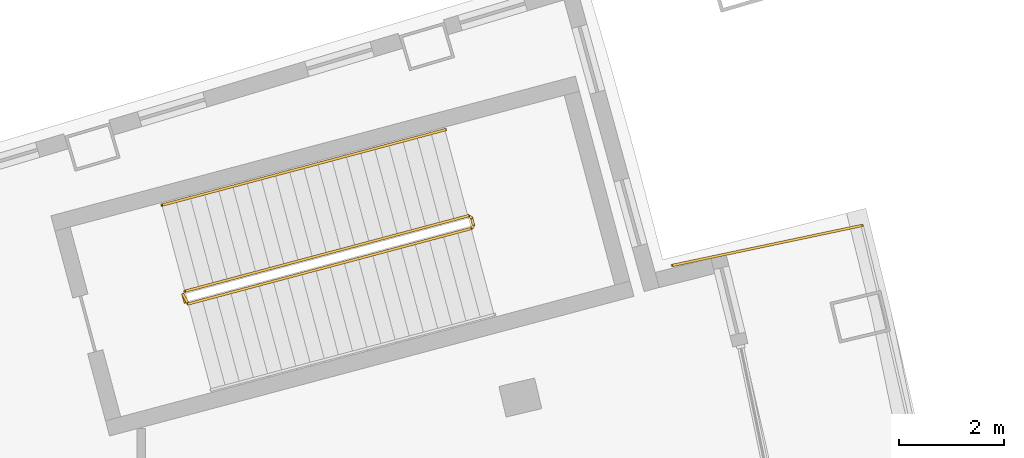
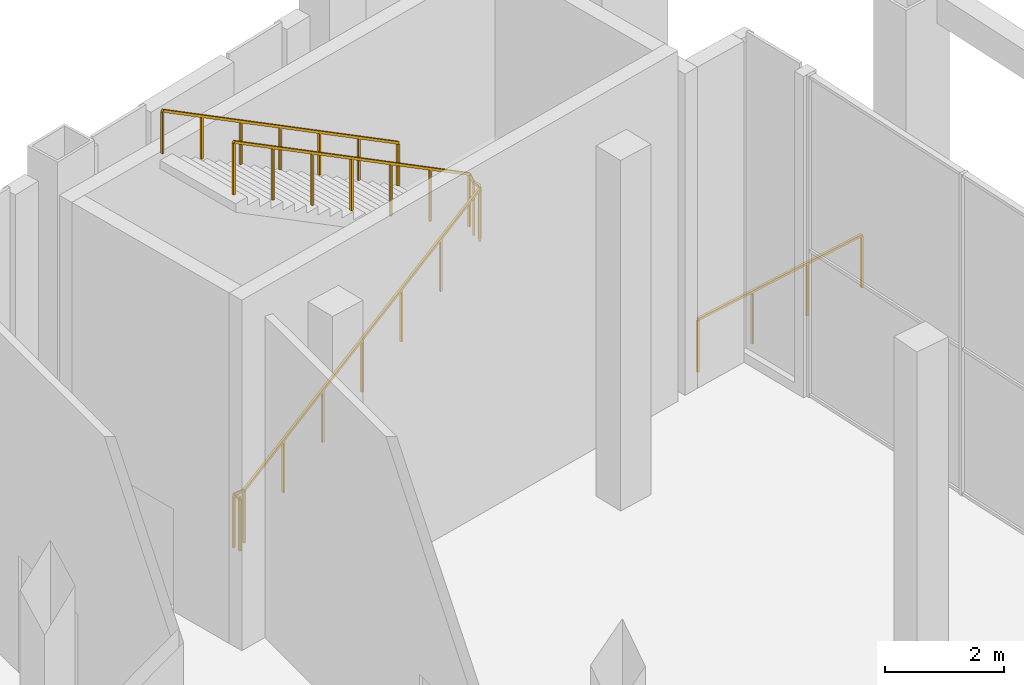
# One storey, part 24 of 25: 3 railings.
"""IFC4 building model written with IfcOpenShell, lengths in metres."""

from ifc_helpers import new_model, si_unit, direction, frame, origin, origin_2d, place, context, subcontext, project, spatial, rectangle, extrude, material, type_object, element, save


model = new_model("IFC4")

# Units and contexts
model_context = context("Model", 3, precision=1e-05, world=origin(), true_north=direction((0.0, 1.0)))
body_context = subcontext(model_context, "Body", "Model", "MODEL_VIEW")
ifc_project = project(units=[si_unit("LENGTHUNIT", "METRE"), si_unit("AREAUNIT", "SQUARE_METRE"), si_unit("VOLUMEUNIT", "CUBIC_METRE"), si_unit("PLANEANGLEUNIT", "RADIAN"), si_unit("MASSUNIT", "GRAM", prefix="KILO")], contexts=[model_context])

# Site, building, storey
site_placement = place(None, origin())
site = spatial("IfcSite", under=ifc_project, at=site_placement, CompositionType="ELEMENT")
building_placement = place(site_placement, origin())
building = spatial("IfcBuilding", under=site, at=building_placement, Name="Alderwake Tower", CompositionType="ELEMENT")
storey_placement = place(building_placement, frame((0.0, 0.0, 288.800048828125)))
storey = spatial("IfcBuildingStorey", under=building, at=storey_placement, Name="L72", CompositionType="ELEMENT", Elevation=288.800048828125)

# Railings
ifc_material_1 = material(Name="Stainless steel 316 rail and posts", Category="steel")
railing_type_1 = type_object("IfcRailingType", Name="Balcony guard 1100", PredefinedType="GUARDRAIL", material=ifc_material_1)
railing_1_placement = place(storey_placement, frame((52.15771484375, 94.142822265625, 0.0)))
element("IfcRailing", 1, at=railing_1_placement, inside=storey, type_object=railing_type_1, Name="Guard garden terrace front end", PredefinedType="GUARDRAIL", context=body_context, shape_type="SweptSolid", body=[
    extrude(rectangle(XDim=0.048095703125, YDim=0.048095703125, at=origin_2d()), frame((0.0, 0.0, 1.076171875), z_axis=(-0.978571465615, -0.205907471171, 0.0), x_axis=(0.205907471171, -0.978571465615, 0.0)), (0.0, 0.0, 1.0), 3.702880859375),
    extrude(rectangle(XDim=0.0419921875, YDim=0.0419921875, at=origin_2d()), frame((0.0, 0.0, 0.0), z_axis=(0.0, 0.0, 1.0), x_axis=(-0.978571465615, -0.205907471171, 0.0)), (0.0, 0.0, 1.0), 1.052001953125),
    extrude(rectangle(XDim=0.0419921875, YDim=0.0419921875, at=origin_2d()), frame((-1.207763671875, -0.254150390625, 0.0), z_axis=(0.0, 0.0, 1.0), x_axis=(-0.978571465615, -0.205907471171, 0.0)), (0.0, 0.0, 1.0), 1.052001953125),
    extrude(rectangle(XDim=0.0419921875, YDim=0.0419921875, at=origin_2d()), frame((-2.415771484375, -0.50830078125, 0.0), z_axis=(0.0, 0.0, 1.0), x_axis=(-0.978571465615, -0.205907471171, 0.0)), (0.0, 0.0, 1.0), 1.052001953125),
    extrude(rectangle(XDim=0.0419921875, YDim=0.0419921875, at=origin_2d()), frame((-3.62353515625, -0.762451171875, 0.0), z_axis=(0.0, 0.0, 1.0), x_axis=(-0.978571465615, -0.205907471171, 0.0)), (0.0, 0.0, 1.0), 1.052001953125),
])
ifc_material_2 = material(Name="Stainless steel guard", Category="steel")
railing_type_2 = type_object("IfcRailingType", Name="Stair guard 1100", PredefinedType="GUARDRAIL", material=ifc_material_2)
railing_2_placement = place(storey_placement, frame((39.23291015625, 92.6806640625, 0.0)))
element("IfcRailing", 2, at=railing_2_placement, inside=storey, type_object=railing_type_2, Name="L72 ST-A stair guard 1", PredefinedType="GUARDRAIL", context=body_context, shape_type="SweptSolid", body=[
    extrude(rectangle(XDim=0.048095703125, YDim=0.048095703125, at=origin_2d()), frame((0.0, 0.0, 1.076171875), z_axis=(-0.257055032184, 0.966396766566, 0.0), x_axis=(-0.966396766566, -0.257055032184, 0.0)), (0.0, 0.0, 1.0), 0.150146484375),
    extrude(rectangle(XDim=0.048095703125, YDim=0.048095703125, at=origin_2d()), frame((-0.03857421875, 0.14501953125, 1.076171875), z_axis=(0.372402481115, -0.672873920646, 0.639184698638), x_axis=(0.874937996095, 0.484234966715, 0.0)), (0.0, 0.0, 1.0), 0.26806640625),
    extrude(rectangle(XDim=0.048095703125, YDim=0.048095703125, at=origin_2d()), frame((0.061279296875, -0.035400390625, 1.24755859375), z_axis=(0.824125601407, 0.219518951081, 0.522138318094), x_axis=(-0.257391295463, 0.966307260151, 0.0)), (0.0, 0.0, 1.0), 6.566162109375),
    extrude(rectangle(XDim=0.048095703125, YDim=0.048095703125, at=origin_2d()), frame((5.47265625, 1.406005859375, 4.67578125), z_axis=(0.500220121494, 0.865898279276, 0.0), x_axis=(-0.865898279276, 0.500220121494, 0.0)), (0.0, 0.0, 1.0), 0.07080078125),
    extrude(rectangle(XDim=0.048095703125, YDim=0.048095703125, at=origin_2d()), frame((5.508056640625, 1.46728515625, 4.67578125), z_axis=(-0.257459803502, 0.966289009345, 0.0), x_axis=(-0.966289009345, -0.257459803502, 0.0)), (0.0, 0.0, 1.0), 0.14990234375),
    extrude(rectangle(XDim=0.048095703125, YDim=0.048095703125, at=origin_2d()), frame((5.469482421875, 1.612060546875, 4.67578125), z_axis=(-0.329998739218, 0.191951457872, 0.924259417012), x_axis=(-0.502800015978, -0.864402767194, 0.0)), (0.0, 0.0, 1.0), 0.185791015625),
    extrude(rectangle(XDim=0.048095703125, YDim=0.048095703125, at=origin_2d()), frame((5.408203125, 1.647705078125, 4.84765625), z_axis=(-0.824125601407, -0.219518951081, 0.522138318094), x_axis=(0.257391295463, -0.966307260151, 0.0)), (0.0, 0.0, 1.0), 6.566162109375),
    extrude(rectangle(XDim=0.0419921875, YDim=0.0419921875, at=origin_2d()), frame((0.0, 0.0, 0.0), z_axis=(0.0, 0.0, 1.0), x_axis=(-0.257055032184, 0.966396766566, 0.0)), (0.0, 0.0, 1.0), 1.052001953125),
    extrude(rectangle(XDim=0.0419921875, YDim=0.0419921875, at=origin_2d()), frame((-0.03857421875, 0.14501953125, 0.0), z_axis=(0.0, 0.0, 1.0), x_axis=(0.484234966715, -0.874937996095, 0.0)), (0.0, 0.0, 1.0), 1.052001953125),
    extrude(rectangle(XDim=0.0419921875, YDim=0.0419921875, at=origin_2d()), frame((0.061279296875, -0.035400390625, 0.17138671875), z_axis=(0.0, 0.0, 1.0), x_axis=(0.966307260151, 0.257391295463, 0.0)), (0.0, 0.0, 1.0), 1.052001953125),
    extrude(rectangle(XDim=0.0419921875, YDim=0.0419921875, at=origin_2d()), frame((0.963134765625, 0.204833984375, 0.74267578125), z_axis=(0.0, 0.0, 1.0), x_axis=(0.966307260151, 0.257391295463, 0.0)), (0.0, 0.0, 1.0), 1.052001953125),
    extrude(rectangle(XDim=0.0419921875, YDim=0.0419921875, at=origin_2d()), frame((1.864990234375, 0.445068359375, 1.314208984375), z_axis=(0.0, 0.0, 1.0), x_axis=(0.966307260151, 0.257391295463, 0.0)), (0.0, 0.0, 1.0), 1.052001953125),
    extrude(rectangle(XDim=0.0419921875, YDim=0.0419921875, at=origin_2d()), frame((2.76708984375, 0.685302734375, 1.8857421875), z_axis=(0.0, 0.0, 1.0), x_axis=(0.966307260151, 0.257391295463, 0.0)), (0.0, 0.0, 1.0), 1.052001953125),
    extrude(rectangle(XDim=0.0419921875, YDim=0.0419921875, at=origin_2d()), frame((3.6689453125, 0.925537109375, 2.45703125), z_axis=(0.0, 0.0, 1.0), x_axis=(0.966307260151, 0.257391295463, 0.0)), (0.0, 0.0, 1.0), 1.052001953125),
    extrude(rectangle(XDim=0.0419921875, YDim=0.0419921875, at=origin_2d()), frame((4.57080078125, 1.165771484375, 3.0283203125), z_axis=(0.0, 0.0, 1.0), x_axis=(0.966307260151, 0.257391295463, 0.0)), (0.0, 0.0, 1.0), 1.052001953125),
    extrude(rectangle(XDim=0.0419921875, YDim=0.0419921875, at=origin_2d()), frame((5.47265625, 1.406005859375, 3.599853515625), z_axis=(0.0, 0.0, 1.0), x_axis=(0.500220121494, 0.865898279276, 0.0)), (0.0, 0.0, 1.0), 1.052001953125),
    extrude(rectangle(XDim=0.0419921875, YDim=0.0419921875, at=origin_2d()), frame((5.508056640625, 1.46728515625, 3.599853515625), z_axis=(0.0, 0.0, 1.0), x_axis=(-0.257459803502, 0.966289009345, 0.0)), (0.0, 0.0, 1.0), 1.052001953125),
    extrude(rectangle(XDim=0.0419921875, YDim=0.0419921875, at=origin_2d()), frame((5.469482421875, 1.612060546875, 3.599853515625), z_axis=(0.0, 0.0, 1.0), x_axis=(-0.864402767194, 0.502800015978, 0.0)), (0.0, 0.0, 1.0), 1.052001953125),
    extrude(rectangle(XDim=0.0419921875, YDim=0.0419921875, at=origin_2d()), frame((5.408203125, 1.647705078125, 3.771484375), z_axis=(0.0, 0.0, 1.0), x_axis=(-0.966307260151, -0.257391295463, 0.0)), (0.0, 0.0, 1.0), 1.052001953125),
    extrude(rectangle(XDim=0.0419921875, YDim=0.0419921875, at=origin_2d()), frame((4.50634765625, 1.407470703125, 4.3427734375), z_axis=(0.0, 0.0, 1.0), x_axis=(-0.966307260151, -0.257391295463, 0.0)), (0.0, 0.0, 1.0), 1.052001953125),
    extrude(rectangle(XDim=0.0419921875, YDim=0.0419921875, at=origin_2d()), frame((3.6044921875, 1.167236328125, 4.914306640625), z_axis=(0.0, 0.0, 1.0), x_axis=(-0.966307260151, -0.257391295463, 0.0)), (0.0, 0.0, 1.0), 1.052001953125),
    extrude(rectangle(XDim=0.0419921875, YDim=0.0419921875, at=origin_2d()), frame((2.70263671875, 0.927001953125, 5.48583984375), z_axis=(0.0, 0.0, 1.0), x_axis=(-0.966307260151, -0.257391295463, 0.0)), (0.0, 0.0, 1.0), 1.052001953125),
    extrude(rectangle(XDim=0.0419921875, YDim=0.0419921875, at=origin_2d()), frame((1.800537109375, 0.686767578125, 6.05712890625), z_axis=(0.0, 0.0, 1.0), x_axis=(-0.966307260151, -0.257391295463, 0.0)), (0.0, 0.0, 1.0), 1.052001953125),
    extrude(rectangle(XDim=0.0419921875, YDim=0.0419921875, at=origin_2d()), frame((0.898681640625, 0.446533203125, 6.62841796875), z_axis=(0.0, 0.0, 1.0), x_axis=(-0.966307260151, -0.257391295463, 0.0)), (0.0, 0.0, 1.0), 1.052001953125),
    extrude(rectangle(XDim=0.0419921875, YDim=0.0419921875, at=origin_2d()), frame((-0.003173828125, 0.206298828125, 7.199951171875), z_axis=(0.0, 0.0, 1.0), x_axis=(-0.966307260151, -0.257391295463, 0.0)), (0.0, 0.0, 1.0), 1.052001953125),
])
ifc_material_3 = material(Name="Stainless steel handrail", Category="steel")
railing_type_3 = type_object("IfcRailingType", Name="Stair handrail 900", PredefinedType="HANDRAIL", material=ifc_material_3)
railing_3_placement = place(storey_placement, frame((44.20361328125, 95.970947265625, 3.771484375)))
element("IfcRailing", 3, at=railing_3_placement, inside=storey, type_object=railing_type_3, Name="L72 ST-A stair handrail 2", PredefinedType="HANDRAIL", context=body_context, shape_type="SweptSolid", body=[
    extrude(rectangle(XDim=0.048095703125, YDim=0.048095703125, at=origin_2d()), frame((0.0, 0.0, 0.8759765625), z_axis=(-0.824125601407, -0.219518951081, 0.522138318094), x_axis=(0.257391295463, -0.966307260151, 0.0)), (0.0, 0.0, 1.0), 6.566162109375),
    extrude(rectangle(XDim=0.0419921875, YDim=0.0419921875, at=origin_2d()), frame((0.0, 0.0, 0.0), z_axis=(0.0, 0.0, 1.0), x_axis=(-0.966307260151, -0.257391295463, 0.0)), (0.0, 0.0, 1.0), 0.851806640625),
    extrude(rectangle(XDim=0.0419921875, YDim=0.0419921875, at=origin_2d()), frame((-0.90185546875, -0.240234375, 0.5712890625), z_axis=(0.0, 0.0, 1.0), x_axis=(-0.966307260151, -0.257391295463, 0.0)), (0.0, 0.0, 1.0), 0.851806640625),
    extrude(rectangle(XDim=0.0419921875, YDim=0.0419921875, at=origin_2d()), frame((-1.8037109375, -0.48046875, 1.142822265625), z_axis=(0.0, 0.0, 1.0), x_axis=(-0.966307260151, -0.257391295463, 0.0)), (0.0, 0.0, 1.0), 0.851806640625),
    extrude(rectangle(XDim=0.0419921875, YDim=0.0419921875, at=origin_2d()), frame((-2.70556640625, -0.720703125, 1.71435546875), z_axis=(0.0, 0.0, 1.0), x_axis=(-0.966307260151, -0.257391295463, 0.0)), (0.0, 0.0, 1.0), 0.851806640625),
    extrude(rectangle(XDim=0.0419921875, YDim=0.0419921875, at=origin_2d()), frame((-3.607666015625, -0.9609375, 2.28564453125), z_axis=(0.0, 0.0, 1.0), x_axis=(-0.966307260151, -0.257391295463, 0.0)), (0.0, 0.0, 1.0), 0.851806640625),
    extrude(rectangle(XDim=0.0419921875, YDim=0.0419921875, at=origin_2d()), frame((-4.509521484375, -1.201171875, 2.85693359375), z_axis=(0.0, 0.0, 1.0), x_axis=(-0.966307260151, -0.257391295463, 0.0)), (0.0, 0.0, 1.0), 0.851806640625),
    extrude(rectangle(XDim=0.0419921875, YDim=0.0419921875, at=origin_2d()), frame((-5.411376953125, -1.44140625, 3.428466796875), z_axis=(0.0, 0.0, 1.0), x_axis=(-0.966307260151, -0.257391295463, 0.0)), (0.0, 0.0, 1.0), 0.851806640625),
])

save(model, "model.ifc")
